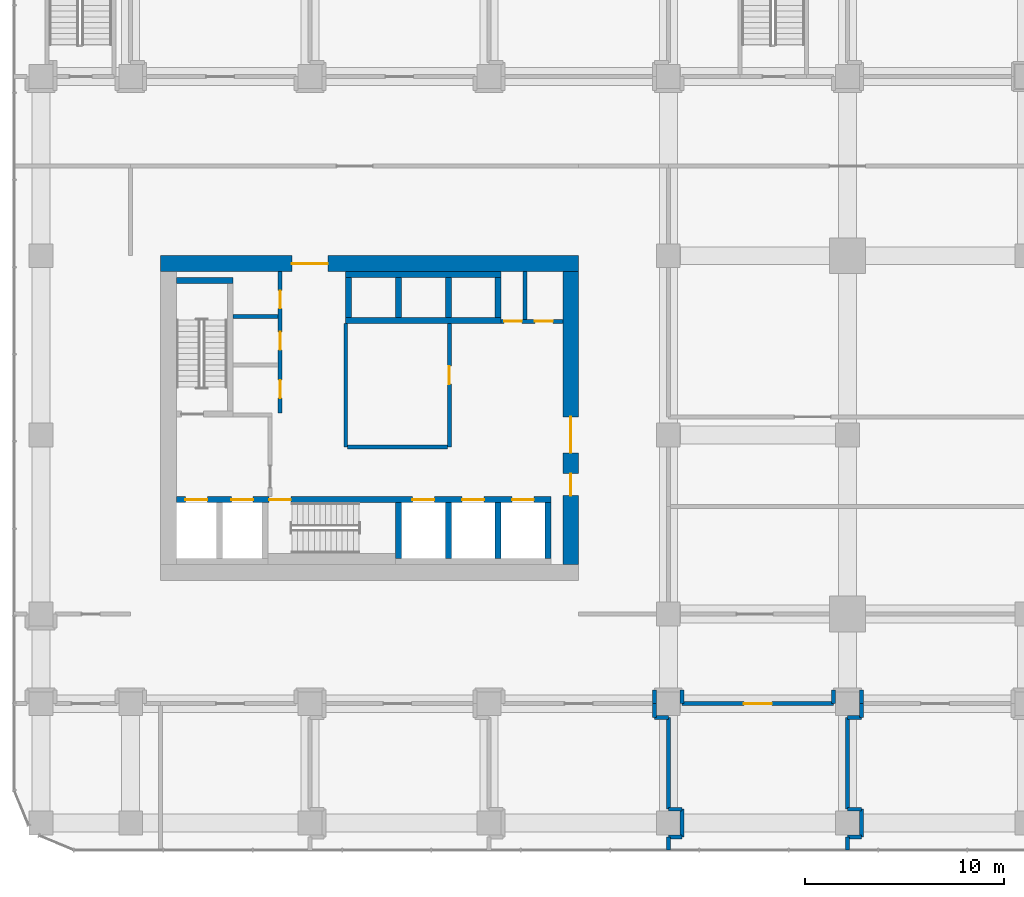
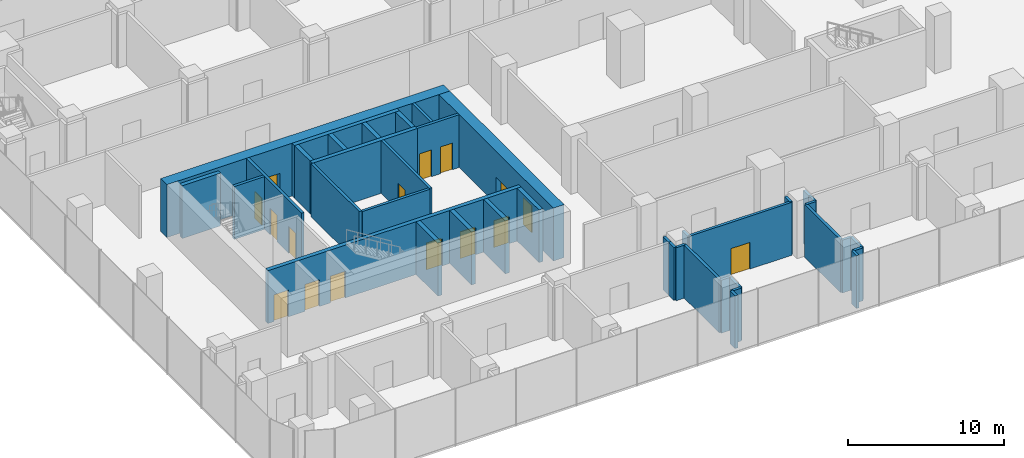
# One storey, part 29 of 43: 40 walls, 16 doors, 16 openings.
"""IFC4 building model written with IfcOpenShell, lengths in metres."""

from ifc_helpers import new_model, si_unit, direction, frame, frame_2d, origin, place, context, subcontext, project, spatial, rectangle, extrude, material, layer, layer_set, type_object, element, fill, save


model = new_model("IFC4")

# Units and contexts
model_context = context("Model", 3, precision=1e-05, world=origin(), true_north=direction((0.0, 1.0)))
body_context = subcontext(model_context, "Body", "Model", "MODEL_VIEW")
ifc_project = project(units=[si_unit("LENGTHUNIT", "METRE"), si_unit("AREAUNIT", "SQUARE_METRE"), si_unit("VOLUMEUNIT", "CUBIC_METRE"), si_unit("PLANEANGLEUNIT", "RADIAN"), si_unit("MASSUNIT", "GRAM", prefix="KILO")], contexts=[model_context])

# Site, building, storey
site_placement = place(None, origin())
site = spatial("IfcSite", under=ifc_project, at=site_placement, CompositionType="ELEMENT")
building_placement = place(site_placement, origin())
building = spatial("IfcBuilding", under=site, at=building_placement, Name="Plateau Cross Towers", CompositionType="ELEMENT")
storey_placement = place(building_placement, frame((0.0, 0.0, 17.300048828125)))
storey = spatial("IfcBuildingStorey", under=building, at=storey_placement, Name="L03", CompositionType="ELEMENT", Elevation=17.300048828125)

# Walls
ifc_material_1 = material(Name="Concrete block, plastered both sides", Category="concrete")
ifc_layer_1 = layer(ifc_material_1, 0.199951171875)
ifc_layer_set_1 = layer_set([ifc_layer_1], Name="Concrete block, plastered both sides")
wall_type_1 = type_object("IfcWallType", Name="Core partition 200", PredefinedType="PARTITIONING", material=ifc_layer_set_1)
wall_1_placement = place(storey_placement, frame((10.800048828125, 8.39990234375, 0.0), z_axis=(0.0, 0.0, 1.0), x_axis=(0.0, 1.0, 0.0)))
element("IfcWall", 1, at=wall_1_placement, inside=storey, type_object=wall_type_1, Name="Core partition", PredefinedType="PARTITIONING", context=body_context, shape_type="SweptSolid", body=[
    extrude(rectangle(XDim=6.2001953125, YDim=0.199951171875, at=frame_2d((3.10009765625, 0.0))), origin(), (0.0, 0.0, 1.0), 4.14990234375),
])
wall_2_placement = place(storey_placement, frame((10.89990234375, 8.39990234375, 0.0), z_axis=(0.0, 0.0, 1.0), x_axis=(1.0, 0.0, 0.0)))
element("IfcWall", 2, at=wall_2_placement, inside=storey, type_object=wall_type_1, Name="Core partition", PredefinedType="PARTITIONING", context=body_context, shape_type="SweptSolid", body=[
    extrude(rectangle(XDim=5.0, YDim=0.199951171875, at=frame_2d((2.5, 0.0))), origin(), (0.0, 0.0, 1.0), 4.14990234375),
])

# Wall, opening, door
wall_3_placement = place(storey_placement, frame((16.0, 8.39990234375, 0.0), z_axis=(0.0, 0.0, 1.0), x_axis=(0.0, 1.0, 0.0)))
wall_3 = element("IfcWall", 3, at=wall_3_placement, inside=storey, type_object=wall_type_1, Name="Core partition", PredefinedType="PARTITIONING", context=body_context, shape_type="SweptSolid", body=[
    extrude(rectangle(XDim=6.2001953125, YDim=0.199951171875, at=frame_2d((3.10009765625, 0.0))), origin(), (0.0, 0.0, 1.0), 4.14990234375),
])
opening_1_placement = place(wall_3_placement, frame((3.14990234375, 0.0, 0.0)))
opening_1 = element("IfcOpeningElement", 4, at=opening_1_placement, cuts=wall_3, Name="Opening RD1", PredefinedType="OPENING", context=body_context, shape_type="SweptSolid", body=[
    extrude(rectangle(XDim=0.89990234375, YDim=2.10009765625, at=frame_2d((0.449951171875, 1.050048828125))), frame((0.0, 0.10986328125, 0.0), z_axis=(0.0, -1.0, 0.0), x_axis=(1.0, 0.0, 0.0)), (0.0, 0.0, 1.0), 0.219970703125),
])
ifc_material_2 = material(Name="Timber, fire-resisting leaf", Category="wood")
door_type_1 = type_object("IfcDoorType", Name="Core service door 900", OperationType="NOTDEFINED", PredefinedType="DOOR", material=ifc_material_2)
door_1_placement = place(opening_1_placement, origin())
door_1 = element("IfcDoor", 5, at=door_1_placement, inside=storey, type_object=door_type_1, Name="Core service door RD1", OperationType="SINGLE_SWING_LEFT", OverallHeight=2.10009765625, OverallWidth=0.89990234375, PredefinedType="DOOR", context=body_context, shape_type="SweptSolid", body=[
    extrude(rectangle(XDim=0.89990234375, YDim=2.10009765625, at=frame_2d((0.449951171875, 1.050048828125))), frame((0.0, 0.02490234375, 0.0), z_axis=(0.0, -1.0, 0.0), x_axis=(1.0, 0.0, 0.0)), (0.0, 0.0, 1.0), 0.050048828125),
])
fill(opening_1, door_1)

# Wall, openings, doors
wall_4_placement = place(storey_placement, frame((7.5, 10.10009765625, 0.0), z_axis=(0.0, 0.0, 1.0), x_axis=(0.0, 1.0, 0.0)))
wall_4 = element("IfcWall", 6, at=wall_4_placement, inside=storey, type_object=wall_type_1, Name="Core partition", PredefinedType="PARTITIONING", context=body_context, shape_type="SweptSolid", body=[
    extrude(rectangle(XDim=7.099853515625, YDim=0.199951171875, at=frame_2d((3.5498046875, 0.0))), origin(), (0.0, 0.0, 1.0), 4.14990234375),
])
opening_2_placement = place(wall_4_placement, frame((0.75, 0.0, 0.0)))
opening_2 = element("IfcOpeningElement", 7, at=opening_2_placement, cuts=wall_4, Name="Opening RD1", PredefinedType="OPENING", context=body_context, shape_type="SweptSolid", body=[
    extrude(rectangle(XDim=0.89990234375, YDim=2.10009765625, at=frame_2d((0.449951171875, 1.050048828125))), frame((0.0, 0.10986328125, 0.0), z_axis=(0.0, -1.0, 0.0), x_axis=(1.0, 0.0, 0.0)), (0.0, 0.0, 1.0), 0.219970703125),
])
opening_3_placement = place(wall_4_placement, frame((3.175048828125, 0.0, 0.0)))
opening_3 = element("IfcOpeningElement", 8, at=opening_3_placement, cuts=wall_4, Name="Opening RD1", PredefinedType="OPENING", context=body_context, shape_type="SweptSolid", body=[
    extrude(rectangle(XDim=0.89990234375, YDim=2.10009765625, at=frame_2d((0.449951171875, 1.050048828125))), frame((0.0, 0.10986328125, 0.0), z_axis=(0.0, -1.0, 0.0), x_axis=(1.0, 0.0, 0.0)), (0.0, 0.0, 1.0), 0.219970703125),
])
opening_4_placement = place(wall_4_placement, frame((5.25, 0.0, 0.0)))
opening_4 = element("IfcOpeningElement", 9, at=opening_4_placement, cuts=wall_4, Name="Opening RD1", PredefinedType="OPENING", context=body_context, shape_type="SweptSolid", body=[
    extrude(rectangle(XDim=0.89990234375, YDim=2.10009765625, at=frame_2d((0.449951171875, 1.050048828125))), frame((0.0, 0.10986328125, 0.0), z_axis=(0.0, -1.0, 0.0), x_axis=(1.0, 0.0, 0.0)), (0.0, 0.0, 1.0), 0.219970703125),
])
door_2_placement = place(opening_2_placement, origin())
door_2 = element("IfcDoor", 10, at=door_2_placement, inside=storey, type_object=door_type_1, Name="Core service door RD1", OperationType="SINGLE_SWING_RIGHT", OverallHeight=2.10009765625, OverallWidth=0.89990234375, PredefinedType="DOOR", context=body_context, shape_type="SweptSolid", body=[
    extrude(rectangle(XDim=0.89990234375, YDim=2.10009765625, at=frame_2d((0.449951171875, 1.050048828125))), frame((0.0, 0.02490234375, 0.0), z_axis=(0.0, -1.0, 0.0), x_axis=(1.0, 0.0, 0.0)), (0.0, 0.0, 1.0), 0.050048828125),
])
fill(opening_2, door_2)
door_3_placement = place(opening_3_placement, origin())
door_3 = element("IfcDoor", 11, at=door_3_placement, inside=storey, type_object=door_type_1, Name="Core service door RD1", OperationType="SINGLE_SWING_RIGHT", OverallHeight=2.10009765625, OverallWidth=0.89990234375, PredefinedType="DOOR", context=body_context, shape_type="SweptSolid", body=[
    extrude(rectangle(XDim=0.89990234375, YDim=2.10009765625, at=frame_2d((0.449951171875, 1.050048828125))), frame((0.0, 0.02490234375, 0.0), z_axis=(0.0, -1.0, 0.0), x_axis=(1.0, 0.0, 0.0)), (0.0, 0.0, 1.0), 0.050048828125),
])
fill(opening_3, door_3)
door_4_placement = place(opening_4_placement, origin())
door_4 = element("IfcDoor", 12, at=door_4_placement, inside=storey, type_object=door_type_1, Name="Core service door RD1", OperationType="SINGLE_SWING_RIGHT", OverallHeight=2.10009765625, OverallWidth=0.89990234375, PredefinedType="DOOR", context=body_context, shape_type="SweptSolid", body=[
    extrude(rectangle(XDim=0.89990234375, YDim=2.10009765625, at=frame_2d((0.449951171875, 1.050048828125))), frame((0.0, 0.02490234375, 0.0), z_axis=(0.0, -1.0, 0.0), x_axis=(1.0, 0.0, 0.0)), (0.0, 0.0, 1.0), 0.050048828125),
])
fill(opening_4, door_4)

# Wall
wall_5_placement = place(storey_placement, frame((5.14990234375, 14.949951171875, 0.0), z_axis=(0.0, 0.0, 1.0), x_axis=(1.0, 0.0, 0.0)))
element("IfcWall", 13, at=wall_5_placement, inside=storey, type_object=wall_type_1, Name="Core partition", PredefinedType="PARTITIONING", context=body_context, shape_type="SweptSolid", body=[
    extrude(rectangle(XDim=2.25, YDim=0.199951171875, at=frame_2d((1.125, 0.0))), origin(), (0.0, 0.0, 1.0), 4.14990234375),
])

# Wall, openings, doors
wall_6_placement = place(storey_placement, frame((18.60009765625, 14.699951171875, 0.0), z_axis=(0.0, 0.0, 1.0), x_axis=(1.0, 0.0, 0.0)))
wall_6 = element("IfcWall", 14, at=wall_6_placement, inside=storey, type_object=wall_type_1, Name="Core partition", PredefinedType="PARTITIONING", context=body_context, shape_type="SweptSolid", body=[
    extrude(rectangle(XDim=3.099853515625, YDim=0.199951171875, at=frame_2d((1.5498046875, 0.0))), origin(), (0.0, 0.0, 1.0), 4.14990234375),
])
opening_5_placement = place(wall_6_placement, frame((0.14990234375, 0.0, 0.0)))
opening_5 = element("IfcOpeningElement", 15, at=opening_5_placement, cuts=wall_6, Name="Opening RD2", PredefinedType="OPENING", context=body_context, shape_type="SweptSolid", body=[
    extrude(rectangle(XDim=0.89990234375, YDim=2.10009765625, at=frame_2d((0.449951171875, 1.050048828125))), frame((0.0, 0.10986328125, 0.0), z_axis=(0.0, -1.0, 0.0), x_axis=(1.0, 0.0, 0.0)), (0.0, 0.0, 1.0), 0.219970703125),
])
opening_6_placement = place(wall_6_placement, frame((1.699951171875, 0.0, 0.0)))
opening_6 = element("IfcOpeningElement", 16, at=opening_6_placement, cuts=wall_6, Name="Opening RD2", PredefinedType="OPENING", context=body_context, shape_type="SweptSolid", body=[
    extrude(rectangle(XDim=0.89990234375, YDim=2.10009765625, at=frame_2d((0.449951171875, 1.050048828125))), frame((0.0, 0.10986328125, 0.0), z_axis=(0.0, -1.0, 0.0), x_axis=(1.0, 0.0, 0.0)), (0.0, 0.0, 1.0), 0.219970703125),
])
ifc_material_3 = material(Name="Steel, fire-resisting leaf", Category="steel")
door_type_2 = type_object("IfcDoorType", Name="Core riser door 900", OperationType="NOTDEFINED", PredefinedType="DOOR", material=ifc_material_3)
door_5_placement = place(opening_5_placement, origin())
door_5 = element("IfcDoor", 17, at=door_5_placement, inside=storey, type_object=door_type_2, Name="Core riser door RD2", OperationType="SINGLE_SWING_LEFT", OverallHeight=2.10009765625, OverallWidth=0.89990234375, PredefinedType="DOOR", context=body_context, shape_type="SweptSolid", body=[
    extrude(rectangle(XDim=0.89990234375, YDim=2.10009765625, at=frame_2d((0.449951171875, 1.050048828125))), frame((0.0, 0.02490234375, 0.0), z_axis=(0.0, -1.0, 0.0), x_axis=(1.0, 0.0, 0.0)), (0.0, 0.0, 1.0), 0.050048828125),
])
fill(opening_5, door_5)
door_6_placement = place(opening_6_placement, origin())
door_6 = element("IfcDoor", 18, at=door_6_placement, inside=storey, type_object=door_type_2, Name="Core riser door RD2", OperationType="SINGLE_SWING_LEFT", OverallHeight=2.10009765625, OverallWidth=0.89990234375, PredefinedType="DOOR", context=body_context, shape_type="SweptSolid", body=[
    extrude(rectangle(XDim=0.89990234375, YDim=2.10009765625, at=frame_2d((0.449951171875, 1.050048828125))), frame((0.0, 0.02490234375, 0.0), z_axis=(0.0, -1.0, 0.0), x_axis=(1.0, 0.0, 0.0)), (0.0, 0.0, 1.0), 0.050048828125),
])
fill(opening_6, door_6)

# Walls
wall_7_placement = place(storey_placement, frame((19.800048828125, 14.800048828125, 0.0), z_axis=(0.0, 0.0, 1.0), x_axis=(0.0, 1.0, 0.0)))
element("IfcWall", 19, at=wall_7_placement, inside=storey, type_object=wall_type_1, Name="Core partition", PredefinedType="PARTITIONING", context=body_context, shape_type="SweptSolid", body=[
    extrude(rectangle(XDim=2.39990234375, YDim=0.199951171875, at=frame_2d((1.199951171875, 0.0))), origin(), (0.0, 0.0, 1.0), 4.14990234375),
])
ifc_material_4 = material(Name="Concrete C60/75", Category="concrete")
ifc_layer_2 = layer(ifc_material_4, 0.300048828125)
ifc_layer_set_2 = layer_set([ifc_layer_2], Name="Concrete C60/75")
wall_type_2 = type_object("IfcWallType", Name="Core shaft wall 300", PredefinedType="SHEAR", material=ifc_layer_set_2)
for number, where, z_axis, x_axis, name in (
    (20, (13.449951171875, 2.800048828125, 0.0), (0.0, 0.0, 1.0), (0.0, 1.0, 0.0), "A-sb-v3@L03"),
    (21, (15.949951171875, 2.800048828125, 0.0), (0.0, 0.0, 1.0), (0.0, 1.0, 0.0), "A-sb-v4@L03"),
    (22, (18.449951171875, 2.800048828125, 0.0), (0.0, 0.0, 1.0), (0.0, 1.0, 0.0), "A-sb-v5@L03"),
    (23, (20.949951171875, 2.800048828125, 0.0), (0.0, 0.0, 1.0), (0.0, 1.0, 0.0), "A-sb-v6@L03"),
):
    element("IfcWall", number, at=place(storey_placement, frame(where, z_axis=z_axis, x_axis=x_axis)), inside=storey, type_object=wall_type_2, Name=name, PredefinedType="SHEAR", context=body_context, shape_type="SweptSolid", body=[
        extrude(rectangle(XDim=2.800048828125, YDim=0.300048828125, at=frame_2d((1.39990234375, 0.0))), origin(), (0.0, 0.0, 1.0), 4.14990234375),
    ])

# Wall, openings, doors
wall_8_placement = place(storey_placement, frame((2.300048828125, 5.75, 0.0), z_axis=(0.0, 0.0, 1.0), x_axis=(1.0, 0.0, 0.0)))
wall_8 = element("IfcWall", 24, at=wall_8_placement, inside=storey, type_object=wall_type_2, Name="A-sb-front@L03", PredefinedType="SHEAR", context=body_context, shape_type="SweptSolid", body=[
    extrude(rectangle(XDim=18.800048828125, YDim=0.300048828125, at=frame_2d((9.39990234375, 0.0))), origin(), (0.0, 0.0, 1.0), 4.14990234375),
])
opening_7_placement = place(wall_8_placement, frame((4.64990234375, 0.0, 0.0)))
opening_7 = element("IfcOpeningElement", 25, at=opening_7_placement, cuts=wall_8, Name="Opening SD", PredefinedType="OPENING", context=body_context, shape_type="SweptSolid", body=[
    extrude(rectangle(XDim=1.10009765625, YDim=2.10009765625, at=frame_2d((0.550048828125, 1.050048828125))), frame((0.0, 0.159912109375, 0.0), z_axis=(0.0, -1.0, 0.0), x_axis=(1.0, 0.0, 0.0)), (0.0, 0.0, 1.0), 0.320068359375),
])
opening_8_placement = place(wall_8_placement, frame((0.449951171875, 0.0, 0.0)))
opening_8 = element("IfcOpeningElement", 26, at=opening_8_placement, cuts=wall_8, Name="Opening LD", PredefinedType="OPENING", context=body_context, shape_type="SweptSolid", body=[
    extrude(rectangle(XDim=1.10009765625, YDim=2.10009765625, at=frame_2d((0.550048828125, 1.050048828125))), frame((0.0, 0.159912109375, 0.0), z_axis=(0.0, -1.0, 0.0), x_axis=(1.0, 0.0, 0.0)), (0.0, 0.0, 1.0), 0.320068359375),
])
opening_9_placement = place(wall_8_placement, frame((2.75, 0.0, 0.0)))
opening_9 = element("IfcOpeningElement", 27, at=opening_9_placement, cuts=wall_8, Name="Opening LD", PredefinedType="OPENING", context=body_context, shape_type="SweptSolid", body=[
    extrude(rectangle(XDim=1.10009765625, YDim=2.10009765625, at=frame_2d((0.550048828125, 1.050048828125))), frame((0.0, 0.159912109375, 0.0), z_axis=(0.0, -1.0, 0.0), x_axis=(1.0, 0.0, 0.0)), (0.0, 0.0, 1.0), 0.320068359375),
])
opening_10_placement = place(wall_8_placement, frame((11.85009765625, 0.0, 0.0)))
opening_10 = element("IfcOpeningElement", 28, at=opening_10_placement, cuts=wall_8, Name="Opening LD", PredefinedType="OPENING", context=body_context, shape_type="SweptSolid", body=[
    extrude(rectangle(XDim=1.10009765625, YDim=2.10009765625, at=frame_2d((0.550048828125, 1.050048828125))), frame((0.0, 0.159912109375, 0.0), z_axis=(0.0, -1.0, 0.0), x_axis=(1.0, 0.0, 0.0)), (0.0, 0.0, 1.0), 0.320068359375),
])
opening_11_placement = place(wall_8_placement, frame((14.35009765625, 0.0, 0.0)))
opening_11 = element("IfcOpeningElement", 29, at=opening_11_placement, cuts=wall_8, Name="Opening LD", PredefinedType="OPENING", context=body_context, shape_type="SweptSolid", body=[
    extrude(rectangle(XDim=1.10009765625, YDim=2.10009765625, at=frame_2d((0.550048828125, 1.050048828125))), frame((0.0, 0.159912109375, 0.0), z_axis=(0.0, -1.0, 0.0), x_axis=(1.0, 0.0, 0.0)), (0.0, 0.0, 1.0), 0.320068359375),
])
opening_12_placement = place(wall_8_placement, frame((16.85009765625, 0.0, 0.0)))
opening_12 = element("IfcOpeningElement", 30, at=opening_12_placement, cuts=wall_8, Name="Opening LD", PredefinedType="OPENING", context=body_context, shape_type="SweptSolid", body=[
    extrude(rectangle(XDim=1.10009765625, YDim=2.10009765625, at=frame_2d((0.550048828125, 1.050048828125))), frame((0.0, 0.159912109375, 0.0), z_axis=(0.0, -1.0, 0.0), x_axis=(1.0, 0.0, 0.0)), (0.0, 0.0, 1.0), 0.320068359375),
])
ifc_material_5 = material(Name="Stainless steel, fire-resisting sliding leaves", Category="steel")
door_type_3 = type_object("IfcDoorType", Name="Lift landing door 1100", OperationType="NOTDEFINED", PredefinedType="DOOR", material=ifc_material_5)
door_7_placement = place(opening_8_placement, origin())
door_7 = element("IfcDoor", 31, at=door_7_placement, inside=storey, type_object=door_type_3, Name="Lift landing door LD", OperationType="DOUBLE_DOOR_SLIDING", OverallHeight=2.10009765625, OverallWidth=1.10009765625, PredefinedType="DOOR", context=body_context, shape_type="SweptSolid", body=[
    extrude(rectangle(XDim=1.10009765625, YDim=2.10009765625, at=frame_2d((0.550048828125, 1.050048828125))), frame((0.0, 0.02490234375, 0.0), z_axis=(0.0, -1.0, 0.0), x_axis=(1.0, 0.0, 0.0)), (0.0, 0.0, 1.0), 0.050048828125),
])
fill(opening_8, door_7)
door_8_placement = place(opening_9_placement, origin())
door_8 = element("IfcDoor", 32, at=door_8_placement, inside=storey, type_object=door_type_3, Name="Lift landing door LD", OperationType="DOUBLE_DOOR_SLIDING", OverallHeight=2.10009765625, OverallWidth=1.10009765625, PredefinedType="DOOR", context=body_context, shape_type="SweptSolid", body=[
    extrude(rectangle(XDim=1.10009765625, YDim=2.10009765625, at=frame_2d((0.550048828125, 1.050048828125))), frame((0.0, 0.02490234375, 0.0), z_axis=(0.0, -1.0, 0.0), x_axis=(1.0, 0.0, 0.0)), (0.0, 0.0, 1.0), 0.050048828125),
])
fill(opening_9, door_8)
door_9_placement = place(opening_10_placement, origin())
door_9 = element("IfcDoor", 33, at=door_9_placement, inside=storey, type_object=door_type_3, Name="Lift landing door LD", OperationType="DOUBLE_DOOR_SLIDING", OverallHeight=2.10009765625, OverallWidth=1.10009765625, PredefinedType="DOOR", context=body_context, shape_type="SweptSolid", body=[
    extrude(rectangle(XDim=1.10009765625, YDim=2.10009765625, at=frame_2d((0.550048828125, 1.050048828125))), frame((0.0, 0.02490234375, 0.0), z_axis=(0.0, -1.0, 0.0), x_axis=(1.0, 0.0, 0.0)), (0.0, 0.0, 1.0), 0.050048828125),
])
fill(opening_10, door_9)
door_10_placement = place(opening_11_placement, origin())
door_10 = element("IfcDoor", 34, at=door_10_placement, inside=storey, type_object=door_type_3, Name="Lift landing door LD", OperationType="DOUBLE_DOOR_SLIDING", OverallHeight=2.10009765625, OverallWidth=1.10009765625, PredefinedType="DOOR", context=body_context, shape_type="SweptSolid", body=[
    extrude(rectangle(XDim=1.10009765625, YDim=2.10009765625, at=frame_2d((0.550048828125, 1.050048828125))), frame((0.0, 0.02490234375, 0.0), z_axis=(0.0, -1.0, 0.0), x_axis=(1.0, 0.0, 0.0)), (0.0, 0.0, 1.0), 0.050048828125),
])
fill(opening_11, door_10)
door_11_placement = place(opening_12_placement, origin())
door_11 = element("IfcDoor", 35, at=door_11_placement, inside=storey, type_object=door_type_3, Name="Lift landing door LD", OperationType="DOUBLE_DOOR_SLIDING", OverallHeight=2.10009765625, OverallWidth=1.10009765625, PredefinedType="DOOR", context=body_context, shape_type="SweptSolid", body=[
    extrude(rectangle(XDim=1.10009765625, YDim=2.10009765625, at=frame_2d((0.550048828125, 1.050048828125))), frame((0.0, 0.02490234375, 0.0), z_axis=(0.0, -1.0, 0.0), x_axis=(1.0, 0.0, 0.0)), (0.0, 0.0, 1.0), 0.050048828125),
])
fill(opening_12, door_11)
door_type_4 = type_object("IfcDoorType", Name="Stair door 1100", OperationType="NOTDEFINED", PredefinedType="DOOR", material=ifc_material_3)
door_12_placement = place(opening_7_placement, origin())
door_12 = element("IfcDoor", 36, at=door_12_placement, inside=storey, type_object=door_type_4, Name="Stair door SD", OperationType="SINGLE_SWING_LEFT", OverallHeight=2.10009765625, OverallWidth=1.10009765625, PredefinedType="DOOR", context=body_context, shape_type="SweptSolid", body=[
    extrude(rectangle(XDim=1.10009765625, YDim=2.10009765625, at=frame_2d((0.550048828125, 1.050048828125))), frame((0.0, 0.02490234375, 0.0), z_axis=(0.0, -1.0, 0.0), x_axis=(1.0, 0.0, 0.0)), (0.0, 0.0, 1.0), 0.050048828125),
])
fill(opening_7, door_12)

# Walls
wall_9_placement = place(storey_placement, frame((2.300048828125, 16.75, 0.0), z_axis=(0.0, 0.0, 1.0), x_axis=(1.0, 0.0, 0.0)))
element("IfcWall", 37, at=wall_9_placement, inside=storey, type_object=wall_type_2, Name="A-st1-N@L03", PredefinedType="SHEAR", context=body_context, shape_type="SweptSolid", body=[
    extrude(rectangle(XDim=2.849853515625, YDim=0.300048828125, at=frame_2d((1.4248046875, 0.0))), origin(), (0.0, 0.0, 1.0), 4.14990234375),
])
for number, where, z_axis, x_axis, name in (
    (38, (10.800048828125, 17.050048828125, 0.0), (0.0, 0.0, 1.0), (1.0, 0.0, 0.0), "A-nb-back@L03"),
    (39, (10.800048828125, 14.75, 0.0), (0.0, 0.0, 1.0), (1.0, 0.0, 0.0), "A-nb-front@L03"),
):
    element("IfcWall", number, at=place(storey_placement, frame(where, z_axis=z_axis, x_axis=x_axis)), inside=storey, type_object=wall_type_2, Name=name, PredefinedType="SHEAR", context=body_context, shape_type="SweptSolid", body=[
        extrude(rectangle(XDim=7.800048828125, YDim=0.300048828125, at=frame_2d((3.89990234375, 0.0))), origin(), (0.0, 0.0, 1.0), 4.14990234375),
    ])
for number, where, z_axis, x_axis, name in (
    (40, (10.949951171875, 14.89990234375, 0.0), (0.0, 0.0, 1.0), (0.0, 1.0, 0.0), "A-nb-v1@L03"),
    (41, (13.449951171875, 14.89990234375, 0.0), (0.0, 0.0, 1.0), (0.0, 1.0, 0.0), "A-nb-v2@L03"),
    (42, (15.949951171875, 14.89990234375, 0.0), (0.0, 0.0, 1.0), (0.0, 1.0, 0.0), "A-nb-v3@L03"),
    (43, (18.449951171875, 14.89990234375, 0.0), (0.0, 0.0, 1.0), (0.0, 1.0, 0.0), "A-nb-v4@L03"),
):
    element("IfcWall", number, at=place(storey_placement, frame(where, z_axis=z_axis, x_axis=x_axis)), inside=storey, type_object=wall_type_2, Name=name, PredefinedType="SHEAR", context=body_context, shape_type="SweptSolid", body=[
        extrude(rectangle(XDim=2.0, YDim=0.300048828125, at=frame_2d((1.0, 0.0))), origin(), (0.0, 0.0, 1.0), 4.14990234375),
    ])

# Wall, opening, door
ifc_layer_3 = layer(ifc_material_4, 0.800048828125)
ifc_layer_set_3 = layer_set([ifc_layer_3], Name="Concrete C60/75")
wall_type_3 = type_object("IfcWallType", Name="Core shell wall 800", PredefinedType="SHEAR", material=ifc_layer_set_3)
wall_10_placement = place(storey_placement, frame((1.5, 17.60009765625, 0.0), z_axis=(0.0, 0.0, 1.0), x_axis=(1.0, 0.0, 0.0)))
wall_10 = element("IfcWall", 44, at=wall_10_placement, inside=storey, type_object=wall_type_3, Name="A-core-N@L03", PredefinedType="SHEAR", context=body_context, shape_type="SweptSolid", body=[
    extrude(rectangle(XDim=21.0, YDim=0.800048828125, at=frame_2d((10.5, 0.0))), origin(), (0.0, 0.0, 1.0), 4.14990234375),
])
opening_13_placement = place(wall_10_placement, frame((6.60009765625, 0.0, 0.0)))
opening_13 = element("IfcOpeningElement", 45, at=opening_13_placement, cuts=wall_10, Name="Opening CD", PredefinedType="OPENING", context=body_context, shape_type="SweptSolid", body=[
    extrude(rectangle(XDim=1.800048828125, YDim=2.10009765625, at=frame_2d((0.89990234375, 1.050048828125))), frame((0.0, 0.409912109375, 0.0), z_axis=(0.0, -1.0, 0.0), x_axis=(1.0, 0.0, 0.0)), (0.0, 0.0, 1.0), 0.820068359375),
])
ifc_material_6 = material(Name="Steel, fire-resisting leaves", Category="steel")
door_type_5 = type_object("IfcDoorType", Name="Corridor door pair 1800", OperationType="NOTDEFINED", PredefinedType="DOOR", material=ifc_material_6)
door_13_placement = place(opening_13_placement, origin())
door_13 = element("IfcDoor", 46, at=door_13_placement, inside=storey, type_object=door_type_5, Name="Corridor door pair CD", OperationType="DOUBLE_DOOR_SINGLE_SWING", OverallHeight=2.10009765625, OverallWidth=1.800048828125, PredefinedType="DOOR", context=body_context, shape_type="SweptSolid", body=[
    extrude(rectangle(XDim=1.800048828125, YDim=2.10009765625, at=frame_2d((0.89990234375, 1.050048828125))), frame((0.0, 0.02490234375, 0.0), z_axis=(0.0, -1.0, 0.0), x_axis=(1.0, 0.0, 0.0)), (0.0, 0.0, 1.0), 0.050048828125),
])
fill(opening_13, door_13)

# Wall, openings, doors
wall_11_placement = place(storey_placement, frame((22.10009765625, 2.5, 0.0), z_axis=(0.0, 0.0, 1.0), x_axis=(0.0, 1.0, 0.0)))
wall_11 = element("IfcWall", 47, at=wall_11_placement, inside=storey, type_object=wall_type_3, Name="A-core-E@L03", PredefinedType="SHEAR", context=body_context, shape_type="SweptSolid", body=[
    extrude(rectangle(XDim=14.699951171875, YDim=0.800048828125, at=frame_2d((7.35009765625, 0.0))), origin(), (0.0, 0.0, 1.0), 4.14990234375),
])
opening_14_placement = place(wall_11_placement, frame((5.60009765625, 0.0, 0.0)))
opening_14 = element("IfcOpeningElement", 48, at=opening_14_placement, cuts=wall_11, Name="Opening CD", PredefinedType="OPENING", context=body_context, shape_type="SweptSolid", body=[
    extrude(rectangle(XDim=1.800048828125, YDim=2.10009765625, at=frame_2d((0.89990234375, 1.050048828125))), frame((0.0, 0.409912109375, 0.0), z_axis=(0.0, -1.0, 0.0), x_axis=(1.0, 0.0, 0.0)), (0.0, 0.0, 1.0), 0.820068359375),
])
opening_15_placement = place(wall_11_placement, frame((3.449951171875, 0.0, 0.0)))
opening_15 = element("IfcOpeningElement", 49, at=opening_15_placement, cuts=wall_11, Name="Opening CD1", PredefinedType="OPENING", context=body_context, shape_type="SweptSolid", body=[
    extrude(rectangle(XDim=1.10009765625, YDim=2.10009765625, at=frame_2d((0.550048828125, 1.050048828125))), frame((0.0, 0.409912109375, 0.0), z_axis=(0.0, -1.0, 0.0), x_axis=(1.0, 0.0, 0.0)), (0.0, 0.0, 1.0), 0.820068359375),
])
door_type_6 = type_object("IfcDoorType", Name="Corridor door 1100", OperationType="NOTDEFINED", PredefinedType="DOOR", material=ifc_material_3)
door_14_placement = place(opening_15_placement, origin())
door_14 = element("IfcDoor", 50, at=door_14_placement, inside=storey, type_object=door_type_6, Name="Corridor door CD1", OperationType="SINGLE_SWING_RIGHT", OverallHeight=2.10009765625, OverallWidth=1.10009765625, PredefinedType="DOOR", context=body_context, shape_type="SweptSolid", body=[
    extrude(rectangle(XDim=1.10009765625, YDim=2.10009765625, at=frame_2d((0.550048828125, 1.050048828125))), frame((0.0, 0.02490234375, 0.0), z_axis=(0.0, -1.0, 0.0), x_axis=(1.0, 0.0, 0.0)), (0.0, 0.0, 1.0), 0.050048828125),
])
fill(opening_15, door_14)
door_15_placement = place(opening_14_placement, origin())
door_15 = element("IfcDoor", 51, at=door_15_placement, inside=storey, type_object=door_type_5, Name="Corridor door pair CD", OperationType="DOUBLE_DOOR_SINGLE_SWING", OverallHeight=2.10009765625, OverallWidth=1.800048828125, PredefinedType="DOOR", context=body_context, shape_type="SweptSolid", body=[
    extrude(rectangle(XDim=1.800048828125, YDim=2.10009765625, at=frame_2d((0.89990234375, 1.050048828125))), frame((0.0, 0.02490234375, 0.0), z_axis=(0.0, -1.0, 0.0), x_axis=(1.0, 0.0, 0.0)), (0.0, 0.0, 1.0), 0.050048828125),
])
fill(opening_14, door_15)

# Walls
ifc_material_7 = material(Name="Gypsum board on steel studs", Category="steel")
ifc_layer_4 = layer(ifc_material_7, 0.199951171875)
ifc_layer_set_4 = layer_set([ifc_layer_4], Name="Gypsum board on steel studs")
wall_type_4 = type_object("IfcWallType", Name="Podium partition 200", PredefinedType="PARTITIONING", material=ifc_layer_set_4)
for number, where, z_axis, x_axis, name in (
    (52, (36.699951171875, -4.5, 0.0), (0.0, 0.0, 1.0), (0.0, 1.0, 0.0), "Partition wall"),
    (53, (35.300048828125, -3.800048828125, 0.0), (0.0, 0.0, 1.0), (0.0, -1.0, 0.0), "Partition wall"),
):
    element("IfcWall", number, at=place(storey_placement, frame(where, z_axis=z_axis, x_axis=x_axis)), inside=storey, type_object=wall_type_4, Name=name, PredefinedType="PARTITIONING", context=body_context, shape_type="SweptSolid", body=[
        extrude(rectangle(XDim=0.699951171875, YDim=0.199951171875, at=frame_2d((0.35009765625, 0.0))), origin(), (0.0, 0.0, 1.0), 4.14990234375),
    ])

# Wall, opening, door
wall_12_placement = place(storey_placement, frame((35.300048828125, -4.5, 0.0), z_axis=(0.0, 0.0, 1.0), x_axis=(-1.0, 0.0, 0.0)))
wall_12 = element("IfcWall", 54, at=wall_12_placement, inside=storey, type_object=wall_type_4, Name="Partition wall", PredefinedType="PARTITIONING", context=body_context, shape_type="SweptSolid", body=[
    extrude(rectangle(XDim=7.60009765625, YDim=0.199951171875, at=frame_2d((3.800048828125, 0.0))), origin(), (0.0, 0.0, 1.0), 4.14990234375),
])
opening_16_placement = place(wall_12_placement, frame((3.10009765625, 0.0, 0.0)))
opening_16 = element("IfcOpeningElement", 55, at=opening_16_placement, cuts=wall_12, Name="Opening 03-11", PredefinedType="OPENING", context=body_context, shape_type="SweptSolid", body=[
    extrude(rectangle(XDim=1.39990234375, YDim=2.10009765625, at=frame_2d((0.699951171875, 1.050048828125))), frame((0.0, 0.10986328125, 0.0), z_axis=(0.0, -1.0, 0.0), x_axis=(1.0, 0.0, 0.0)), (0.0, 0.0, 1.0), 0.219970703125),
])
ifc_material_8 = material(Name="Timber, hospital grade leaf", Category="wood")
door_type_7 = type_object("IfcDoorType", Name="Clinic bed access door 1400x2100", OperationType="NOTDEFINED", PredefinedType="DOOR", material=ifc_material_8)
door_16_placement = place(opening_16_placement, origin())
door_16 = element("IfcDoor", 56, at=door_16_placement, inside=storey, type_object=door_type_7, Name="Door 03-11", OperationType="SINGLE_SWING_LEFT", OverallHeight=2.10009765625, OverallWidth=1.39990234375, PredefinedType="DOOR", context=body_context, shape_type="SweptSolid", body=[
    extrude(rectangle(XDim=1.39990234375, YDim=2.10009765625, at=frame_2d((0.699951171875, 1.050048828125))), frame((0.0, 0.02490234375, 0.0), z_axis=(0.0, -1.0, 0.0), x_axis=(1.0, 0.0, 0.0)), (0.0, 0.0, 1.0), 0.050048828125),
])
fill(opening_16, door_16)

# Walls
for number, where, z_axis, x_axis, name in (
    (57, (27.699951171875, -4.5, 0.0), (0.0, 0.0, 1.0), (0.0, 1.0, 0.0), "Partition wall"),
    (58, (26.300048828125, -3.800048828125, 0.0), (0.0, 0.0, 1.0), (0.0, -1.0, 0.0), "Partition wall"),
    (59, (26.300048828125, -4.5, 0.0), (0.0, 0.0, 1.0), (0.0, -1.0, 0.0), "Partition wall"),
    (60, (26.300048828125, -5.199951171875, 0.0), (0.0, 0.0, 1.0), (1.0, 0.0, 0.0), "Partition wall"),
):
    element("IfcWall", number, at=place(storey_placement, frame(where, z_axis=z_axis, x_axis=x_axis)), inside=storey, type_object=wall_type_4, Name=name, PredefinedType="PARTITIONING", context=body_context, shape_type="SweptSolid", body=[
        extrude(rectangle(XDim=0.699951171875, YDim=0.199951171875, at=frame_2d((0.35009765625, 0.0))), origin(), (0.0, 0.0, 1.0), 4.14990234375),
    ])
wall_13_placement = place(storey_placement, frame((27.0, -5.199951171875, 0.0), z_axis=(0.0, 0.0, 1.0), x_axis=(0.0, -1.0, 0.0)))
element("IfcWall", 61, at=wall_13_placement, inside=storey, type_object=wall_type_4, Name="Partition wall", PredefinedType="PARTITIONING", context=body_context, shape_type="SweptSolid", body=[
    extrude(rectangle(XDim=4.60009765625, YDim=0.199951171875, at=frame_2d((2.300048828125, 0.0))), origin(), (0.0, 0.0, 1.0), 4.14990234375),
])
wall_14_placement = place(storey_placement, frame((27.0, -9.800048828125, 0.0), z_axis=(0.0, 0.0, 1.0), x_axis=(1.0, 0.0, 0.0)))
element("IfcWall", 62, at=wall_14_placement, inside=storey, type_object=wall_type_4, Name="Partition wall", PredefinedType="PARTITIONING", context=body_context, shape_type="SweptSolid", body=[
    extrude(rectangle(XDim=0.699951171875, YDim=0.199951171875, at=frame_2d((0.35009765625, 0.0))), origin(), (0.0, 0.0, 1.0), 4.14990234375),
])
wall_15_placement = place(storey_placement, frame((27.699951171875, -9.800048828125, 0.0), z_axis=(0.0, 0.0, 1.0), x_axis=(0.0, -1.0, 0.0)))
element("IfcWall", 63, at=wall_15_placement, inside=storey, type_object=wall_type_4, Name="Partition wall", PredefinedType="PARTITIONING", context=body_context, shape_type="SweptSolid", body=[
    extrude(rectangle(XDim=1.39990234375, YDim=0.199951171875, at=frame_2d((0.699951171875, 0.0))), origin(), (0.0, 0.0, 1.0), 4.14990234375),
])
wall_16_placement = place(storey_placement, frame((27.699951171875, -11.199951171875, 0.0), z_axis=(0.0, 0.0, 1.0), x_axis=(-1.0, 0.0, 0.0)))
element("IfcWall", 64, at=wall_16_placement, inside=storey, type_object=wall_type_4, Name="Partition wall", PredefinedType="PARTITIONING", context=body_context, shape_type="SweptSolid", body=[
    extrude(rectangle(XDim=0.699951171875, YDim=0.199951171875, at=frame_2d((0.35009765625, 0.0))), origin(), (0.0, 0.0, 1.0), 4.14990234375),
])
wall_17_placement = place(storey_placement, frame((27.0, -11.199951171875, 0.0), z_axis=(0.0, 0.0, 1.0), x_axis=(0.0, -1.0, 0.0)))
element("IfcWall", 65, at=wall_17_placement, inside=storey, type_object=wall_type_4, Name="Partition wall", PredefinedType="PARTITIONING", context=body_context, shape_type="SweptSolid", body=[
    extrude(rectangle(XDim=0.650146484375, YDim=0.199951171875, at=frame_2d((0.3251953125, 0.0))), origin(), (0.0, 0.0, 1.0), 4.14990234375),
])
for number, where, z_axis, x_axis, name in (
    (66, (36.699951171875, -4.5, 0.0), (0.0, 0.0, 1.0), (0.0, -1.0, 0.0), "Partition wall"),
    (67, (36.699951171875, -5.199951171875, 0.0), (0.0, 0.0, 1.0), (-1.0, 0.0, 0.0), "Partition wall"),
):
    element("IfcWall", number, at=place(storey_placement, frame(where, z_axis=z_axis, x_axis=x_axis)), inside=storey, type_object=wall_type_4, Name=name, PredefinedType="PARTITIONING", context=body_context, shape_type="SweptSolid", body=[
        extrude(rectangle(XDim=0.699951171875, YDim=0.199951171875, at=frame_2d((0.35009765625, 0.0))), origin(), (0.0, 0.0, 1.0), 4.14990234375),
    ])
wall_18_placement = place(storey_placement, frame((36.0, -5.199951171875, 0.0), z_axis=(0.0, 0.0, 1.0), x_axis=(0.0, -1.0, 0.0)))
element("IfcWall", 68, at=wall_18_placement, inside=storey, type_object=wall_type_4, Name="Partition wall", PredefinedType="PARTITIONING", context=body_context, shape_type="SweptSolid", body=[
    extrude(rectangle(XDim=4.60009765625, YDim=0.199951171875, at=frame_2d((2.300048828125, 0.0))), origin(), (0.0, 0.0, 1.0), 4.14990234375),
])
wall_19_placement = place(storey_placement, frame((36.0, -9.800048828125, 0.0), z_axis=(0.0, 0.0, 1.0), x_axis=(1.0, 0.0, 0.0)))
element("IfcWall", 69, at=wall_19_placement, inside=storey, type_object=wall_type_4, Name="Partition wall", PredefinedType="PARTITIONING", context=body_context, shape_type="SweptSolid", body=[
    extrude(rectangle(XDim=0.699951171875, YDim=0.199951171875, at=frame_2d((0.35009765625, 0.0))), origin(), (0.0, 0.0, 1.0), 4.14990234375),
])
wall_20_placement = place(storey_placement, frame((36.699951171875, -9.800048828125, 0.0), z_axis=(0.0, 0.0, 1.0), x_axis=(0.0, -1.0, 0.0)))
element("IfcWall", 70, at=wall_20_placement, inside=storey, type_object=wall_type_4, Name="Partition wall", PredefinedType="PARTITIONING", context=body_context, shape_type="SweptSolid", body=[
    extrude(rectangle(XDim=1.39990234375, YDim=0.199951171875, at=frame_2d((0.699951171875, 0.0))), origin(), (0.0, 0.0, 1.0), 4.14990234375),
])
wall_21_placement = place(storey_placement, frame((36.699951171875, -11.199951171875, 0.0), z_axis=(0.0, 0.0, 1.0), x_axis=(-1.0, 0.0, 0.0)))
element("IfcWall", 71, at=wall_21_placement, inside=storey, type_object=wall_type_4, Name="Partition wall", PredefinedType="PARTITIONING", context=body_context, shape_type="SweptSolid", body=[
    extrude(rectangle(XDim=0.699951171875, YDim=0.199951171875, at=frame_2d((0.35009765625, 0.0))), origin(), (0.0, 0.0, 1.0), 4.14990234375),
])
wall_22_placement = place(storey_placement, frame((36.0, -11.199951171875, 0.0), z_axis=(0.0, 0.0, 1.0), x_axis=(0.0, -1.0, 0.0)))
element("IfcWall", 72, at=wall_22_placement, inside=storey, type_object=wall_type_4, Name="Partition wall", PredefinedType="PARTITIONING", context=body_context, shape_type="SweptSolid", body=[
    extrude(rectangle(XDim=0.650146484375, YDim=0.199951171875, at=frame_2d((0.3251953125, 0.0))), origin(), (0.0, 0.0, 1.0), 4.14990234375),
])

save(model, "model.ifc")
